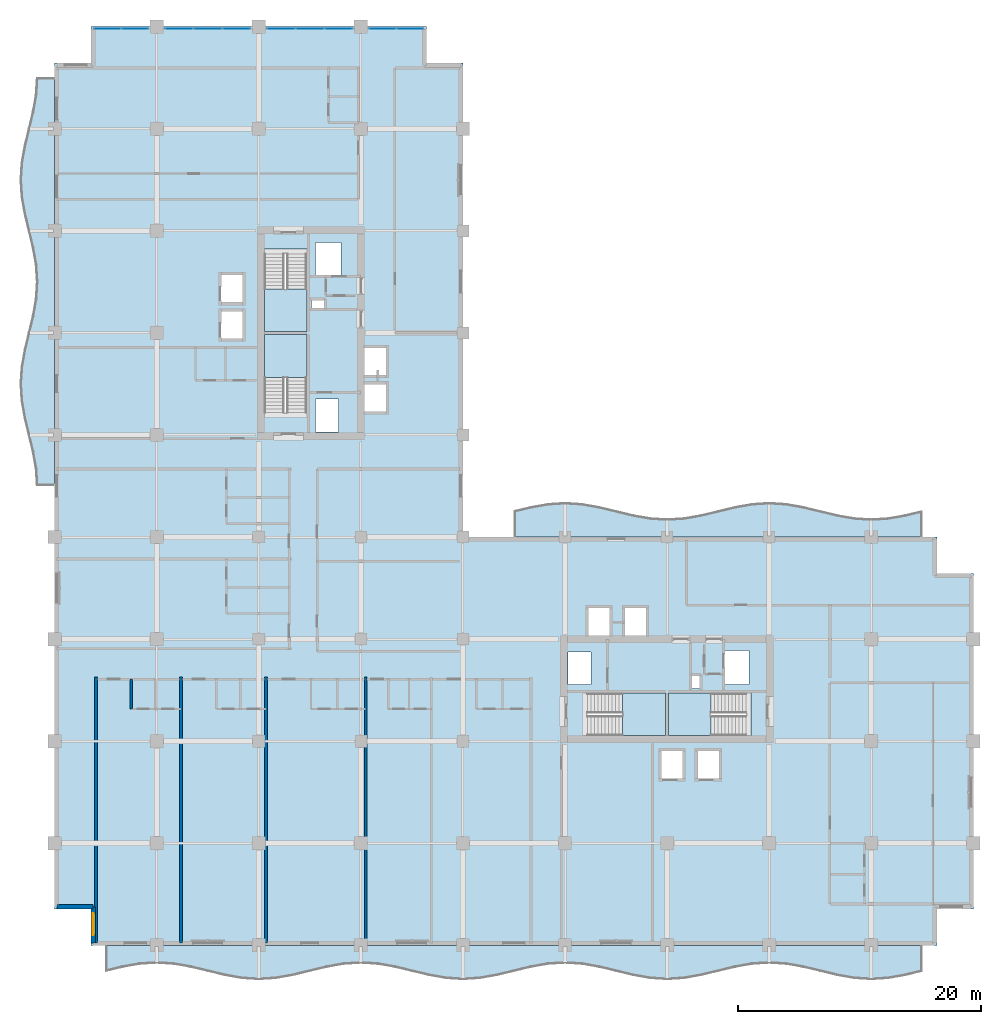
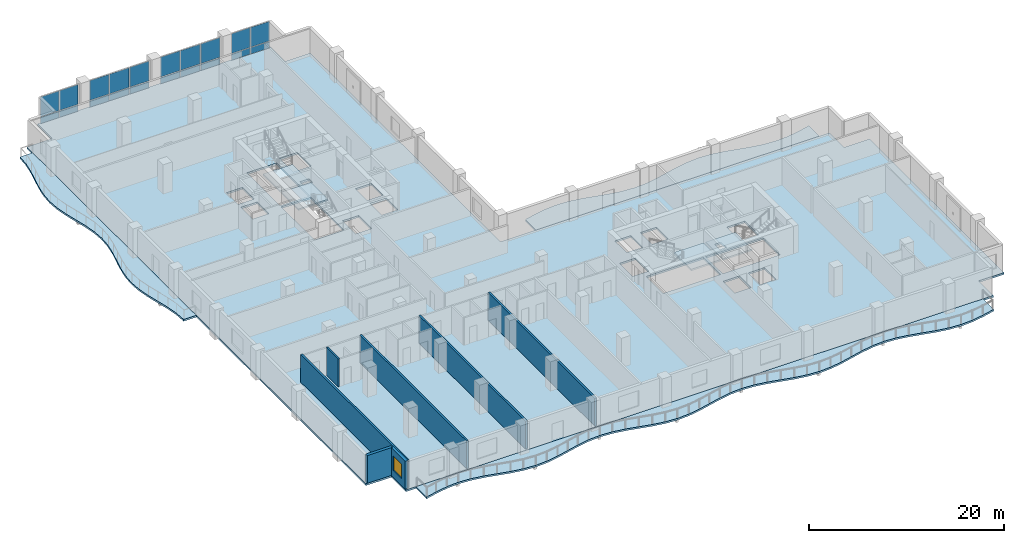
# One storey, part 6 of 19: 20 plates, 8 slabs, 7 walls, 1 window, 1 opening, 8 elements without a shape of their own.
"""IFC4 building model written with IfcOpenShell, lengths in metres."""

from ifc_helpers import new_model, si_unit, direction, frame, frame_2d, origin, origin_2d, place, context, subcontext, project, spatial, polyline, rectangle, outline, extrude, material, layer, layer_set, type_object, element, fill, aggregate, save


model = new_model("IFC4")

# Units and contexts
model_context = context("Model", 3, precision=1e-05, world=origin(), true_north=direction((0.0, 1.0)))
body_context = subcontext(model_context, "Body", "Model", "MODEL_VIEW")
ifc_project = project(units=[si_unit("LENGTHUNIT", "METRE"), si_unit("AREAUNIT", "SQUARE_METRE"), si_unit("VOLUMEUNIT", "CUBIC_METRE"), si_unit("PLANEANGLEUNIT", "RADIAN"), si_unit("MASSUNIT", "GRAM", prefix="KILO")], contexts=[model_context])

# Site, building, storey
site_placement = place(None, origin())
site = spatial("IfcSite", under=ifc_project, at=site_placement, CompositionType="ELEMENT")
building_placement = place(site_placement, origin())
building = spatial("IfcBuilding", under=site, at=building_placement, Name="Koriwani Terraces Tower", CompositionType="ELEMENT")
storey_placement = place(building_placement, frame((0.0, 0.0, 190.199951171875)))
storey = spatial("IfcBuildingStorey", under=building, at=storey_placement, Name="L46", CompositionType="ELEMENT", Elevation=190.199951171875)

# Curtain wall, plates
ifc_material_1 = material(Name="Anodised Bronze Aluminium", Category="aluminium")
ifc_layer_1 = layer(ifc_material_1, 0.169921875, Name="Anodised Bronze Aluminium")
ifc_layer_set_1 = layer_set([ifc_layer_1], Name="Anodised Bronze Aluminium")
curtain_wall_type = type_object("IfcCurtainWallType", Name="CW_RES_ZONE3", PredefinedType="NOTDEFINED", material=ifc_layer_set_1)
curtain_wall_1_placement = place(storey_placement, origin())
curtain_wall_1 = element("IfcCurtainWall", 1, at=curtain_wall_1_placement, inside=storey, type_object=curtain_wall_type, Name="L46 Unitised Curtain Wall (N_TIP) Bay 1", PredefinedType="NOTDEFINED")
ifc_material_2 = material(Name="Tempered Laminated Low-E Glass", Category="glass")
ifc_layer_2 = layer(ifc_material_2, 0.028076171875, Name="Tempered Laminated Low-E Glass")
ifc_layer_set_2 = layer_set([ifc_layer_2], Name="Tempered Laminated Low-E Glass")
plate_type = type_object("IfcPlateType", Name="CW_PANEL_VISION_28", PredefinedType="CURTAIN_PANEL", material=ifc_layer_set_2)
plate_1_placement = place(storey_placement, frame((4.347412109375, 75.425048828125, 0.06494140625), z_axis=(0.0, 0.0, 1.0), x_axis=(1.0, 0.0, 0.0)))
plate_1 = element("IfcPlate", 2, at=plate_1_placement, type_object=plate_type, Name="CW-Z3 panel 1.1", PredefinedType="CURTAIN_PANEL", context=body_context, shape_type="SweptSolid", body=[
    extrude(rectangle(XDim=2.195068359375, YDim=0.028076171875, at=origin_2d()), origin(), (0.0, 0.0, 1.0), 0.802490234375),
])
plate_2_placement = place(storey_placement, frame((4.347412109375, 75.425048828125, 0.9326171875), z_axis=(0.0, 0.0, 1.0), x_axis=(1.0, 0.0, 0.0)))
plate_2 = element("IfcPlate", 3, at=plate_2_placement, type_object=plate_type, Name="CW-Z3 panel 1.2", PredefinedType="CURTAIN_PANEL", context=body_context, shape_type="SweptSolid", body=[
    extrude(rectangle(XDim=2.195068359375, YDim=0.028076171875, at=origin_2d()), origin(), (0.0, 0.0, 1.0), 2.472412109375),
])
plate_3_placement = place(storey_placement, frame((6.617431640625, 75.425048828125, 0.06494140625), z_axis=(0.0, 0.0, 1.0), x_axis=(1.0, 0.0, 0.0)))
plate_3 = element("IfcPlate", 4, at=plate_3_placement, type_object=plate_type, Name="CW-Z3 panel 2.1", PredefinedType="CURTAIN_PANEL", context=body_context, shape_type="SweptSolid", body=[
    extrude(rectangle(XDim=2.195068359375, YDim=0.028076171875, at=origin_2d()), origin(), (0.0, 0.0, 1.0), 0.802490234375),
])
plate_4_placement = place(storey_placement, frame((6.617431640625, 75.425048828125, 0.9326171875), z_axis=(0.0, 0.0, 1.0), x_axis=(1.0, 0.0, 0.0)))
plate_4 = element("IfcPlate", 5, at=plate_4_placement, type_object=plate_type, Name="CW-Z3 panel 2.2", PredefinedType="CURTAIN_PANEL", context=body_context, shape_type="SweptSolid", body=[
    extrude(rectangle(XDim=2.195068359375, YDim=0.028076171875, at=origin_2d()), origin(), (0.0, 0.0, 1.0), 2.472412109375),
])
aggregate(curtain_wall_1, [plate_1, plate_2, plate_3, plate_4])

curtain_wall_2_placement = place(storey_placement, origin())
curtain_wall_2 = element("IfcCurtainWall", 6, at=curtain_wall_2_placement, inside=storey, type_object=curtain_wall_type, Name="L46 Unitised Curtain Wall (N_TIP) Bay 2", PredefinedType="NOTDEFINED")
plate_5_placement = place(storey_placement, frame((10.225341796875, 75.425048828125, 0.06494140625), z_axis=(0.0, 0.0, 1.0), x_axis=(1.0, 0.0, 0.0)))
plate_5 = element("IfcPlate", 7, at=plate_5_placement, type_object=plate_type, Name="CW-Z3 panel 1.1", PredefinedType="CURTAIN_PANEL", context=body_context, shape_type="SweptSolid", body=[
    extrude(rectangle(XDim=2.28076171875, YDim=0.028076171875, at=origin_2d()), origin(), (0.0, 0.0, 1.0), 0.802490234375),
])
plate_6_placement = place(storey_placement, frame((10.225341796875, 75.425048828125, 0.9326171875), z_axis=(0.0, 0.0, 1.0), x_axis=(1.0, 0.0, 0.0)))
plate_6 = element("IfcPlate", 8, at=plate_6_placement, type_object=plate_type, Name="CW-Z3 panel 1.2", PredefinedType="CURTAIN_PANEL", context=body_context, shape_type="SweptSolid", body=[
    extrude(rectangle(XDim=2.28076171875, YDim=0.028076171875, at=origin_2d()), origin(), (0.0, 0.0, 1.0), 2.472412109375),
])
plate_7_placement = place(storey_placement, frame((12.60009765625, 75.425048828125, 0.06494140625), z_axis=(0.0, 0.0, 1.0), x_axis=(1.0, 0.0, 0.0)))
plate_7 = element("IfcPlate", 9, at=plate_7_placement, type_object=plate_type, Name="CW-Z3 panel 2.1", PredefinedType="CURTAIN_PANEL", context=body_context, shape_type="SweptSolid", body=[
    extrude(rectangle(XDim=2.318359375, YDim=0.028076171875, at=origin_2d()), origin(), (0.0, 0.0, 1.0), 0.802490234375),
])
plate_8_placement = place(storey_placement, frame((12.60009765625, 75.425048828125, 0.9326171875), z_axis=(0.0, 0.0, 1.0), x_axis=(1.0, 0.0, 0.0)))
plate_8 = element("IfcPlate", 10, at=plate_8_placement, type_object=plate_type, Name="CW-Z3 panel 2.2", PredefinedType="CURTAIN_PANEL", context=body_context, shape_type="SweptSolid", body=[
    extrude(rectangle(XDim=2.318359375, YDim=0.028076171875, at=origin_2d()), origin(), (0.0, 0.0, 1.0), 2.472412109375),
])
plate_9_placement = place(storey_placement, frame((14.974609375, 75.425048828125, 0.06494140625), z_axis=(0.0, 0.0, 1.0), x_axis=(1.0, 0.0, 0.0)))
plate_9 = element("IfcPlate", 11, at=plate_9_placement, type_object=plate_type, Name="CW-Z3 panel 3.1", PredefinedType="CURTAIN_PANEL", context=body_context, shape_type="SweptSolid", body=[
    extrude(rectangle(XDim=2.28076171875, YDim=0.028076171875, at=origin_2d()), origin(), (0.0, 0.0, 1.0), 0.802490234375),
])
plate_10_placement = place(storey_placement, frame((14.974609375, 75.425048828125, 0.9326171875), z_axis=(0.0, 0.0, 1.0), x_axis=(1.0, 0.0, 0.0)))
plate_10 = element("IfcPlate", 12, at=plate_10_placement, type_object=plate_type, Name="CW-Z3 panel 3.2", PredefinedType="CURTAIN_PANEL", context=body_context, shape_type="SweptSolid", body=[
    extrude(rectangle(XDim=2.28076171875, YDim=0.028076171875, at=origin_2d()), origin(), (0.0, 0.0, 1.0), 2.472412109375),
])
aggregate(curtain_wall_2, [plate_5, plate_6, plate_7, plate_8, plate_9, plate_10])

curtain_wall_3_placement = place(storey_placement, origin())
curtain_wall_3 = element("IfcCurtainWall", 13, at=curtain_wall_3_placement, inside=storey, type_object=curtain_wall_type, Name="L46 Unitised Curtain Wall (N_TIP) Bay 3", PredefinedType="NOTDEFINED")
plate_11_placement = place(storey_placement, frame((18.62548828125, 75.425048828125, 0.06494140625), z_axis=(0.0, 0.0, 1.0), x_axis=(1.0, 0.0, 0.0)))
plate_11 = element("IfcPlate", 14, at=plate_11_placement, type_object=plate_type, Name="CW-Z3 panel 1.1", PredefinedType="CURTAIN_PANEL", context=body_context, shape_type="SweptSolid", body=[
    extrude(rectangle(XDim=2.28076171875, YDim=0.028076171875, at=origin_2d()), origin(), (0.0, 0.0, 1.0), 0.802490234375),
])
plate_12_placement = place(storey_placement, frame((18.62548828125, 75.425048828125, 0.9326171875), z_axis=(0.0, 0.0, 1.0), x_axis=(1.0, 0.0, 0.0)))
plate_12 = element("IfcPlate", 15, at=plate_12_placement, type_object=plate_type, Name="CW-Z3 panel 1.2", PredefinedType="CURTAIN_PANEL", context=body_context, shape_type="SweptSolid", body=[
    extrude(rectangle(XDim=2.28076171875, YDim=0.028076171875, at=origin_2d()), origin(), (0.0, 0.0, 1.0), 2.472412109375),
])
plate_13_placement = place(storey_placement, frame((21.0, 75.425048828125, 0.06494140625), z_axis=(0.0, 0.0, 1.0), x_axis=(1.0, 0.0, 0.0)))
plate_13 = element("IfcPlate", 16, at=plate_13_placement, type_object=plate_type, Name="CW-Z3 panel 2.1", PredefinedType="CURTAIN_PANEL", context=body_context, shape_type="SweptSolid", body=[
    extrude(rectangle(XDim=2.318359375, YDim=0.028076171875, at=origin_2d()), origin(), (0.0, 0.0, 1.0), 0.802490234375),
])
plate_14_placement = place(storey_placement, frame((21.0, 75.425048828125, 0.9326171875), z_axis=(0.0, 0.0, 1.0), x_axis=(1.0, 0.0, 0.0)))
plate_14 = element("IfcPlate", 17, at=plate_14_placement, type_object=plate_type, Name="CW-Z3 panel 2.2", PredefinedType="CURTAIN_PANEL", context=body_context, shape_type="SweptSolid", body=[
    extrude(rectangle(XDim=2.318359375, YDim=0.028076171875, at=origin_2d()), origin(), (0.0, 0.0, 1.0), 2.472412109375),
])
plate_15_placement = place(storey_placement, frame((23.37451171875, 75.425048828125, 0.06494140625), z_axis=(0.0, 0.0, 1.0), x_axis=(1.0, 0.0, 0.0)))
plate_15 = element("IfcPlate", 18, at=plate_15_placement, type_object=plate_type, Name="CW-Z3 panel 3.1", PredefinedType="CURTAIN_PANEL", context=body_context, shape_type="SweptSolid", body=[
    extrude(rectangle(XDim=2.28076171875, YDim=0.028076171875, at=origin_2d()), origin(), (0.0, 0.0, 1.0), 0.802490234375),
])
plate_16_placement = place(storey_placement, frame((23.37451171875, 75.425048828125, 0.9326171875), z_axis=(0.0, 0.0, 1.0), x_axis=(1.0, 0.0, 0.0)))
plate_16 = element("IfcPlate", 19, at=plate_16_placement, type_object=plate_type, Name="CW-Z3 panel 3.2", PredefinedType="CURTAIN_PANEL", context=body_context, shape_type="SweptSolid", body=[
    extrude(rectangle(XDim=2.28076171875, YDim=0.028076171875, at=origin_2d()), origin(), (0.0, 0.0, 1.0), 2.472412109375),
])
aggregate(curtain_wall_3, [plate_11, plate_12, plate_13, plate_14, plate_15, plate_16])

curtain_wall_4_placement = place(storey_placement, origin())
curtain_wall_4 = element("IfcCurtainWall", 20, at=curtain_wall_4_placement, inside=storey, type_object=curtain_wall_type, Name="L46 Unitised Curtain Wall (N_TIP) Bay 4", PredefinedType="NOTDEFINED")
plate_17_placement = place(storey_placement, frame((26.982421875, 75.425048828125, 0.06494140625), z_axis=(0.0, 0.0, 1.0), x_axis=(1.0, 0.0, 0.0)))
plate_17 = element("IfcPlate", 21, at=plate_17_placement, type_object=plate_type, Name="CW-Z3 panel 1.1", PredefinedType="CURTAIN_PANEL", context=body_context, shape_type="SweptSolid", body=[
    extrude(rectangle(XDim=2.195068359375, YDim=0.028076171875, at=origin_2d()), origin(), (0.0, 0.0, 1.0), 0.802490234375),
])
plate_18_placement = place(storey_placement, frame((26.982421875, 75.425048828125, 0.9326171875), z_axis=(0.0, 0.0, 1.0), x_axis=(1.0, 0.0, 0.0)))
plate_18 = element("IfcPlate", 22, at=plate_18_placement, type_object=plate_type, Name="CW-Z3 panel 1.2", PredefinedType="CURTAIN_PANEL", context=body_context, shape_type="SweptSolid", body=[
    extrude(rectangle(XDim=2.195068359375, YDim=0.028076171875, at=origin_2d()), origin(), (0.0, 0.0, 1.0), 2.472412109375),
])
plate_19_placement = place(storey_placement, frame((29.25244140625, 75.425048828125, 0.06494140625), z_axis=(0.0, 0.0, 1.0), x_axis=(1.0, 0.0, 0.0)))
plate_19 = element("IfcPlate", 23, at=plate_19_placement, type_object=plate_type, Name="CW-Z3 panel 2.1", PredefinedType="CURTAIN_PANEL", context=body_context, shape_type="SweptSolid", body=[
    extrude(rectangle(XDim=2.195068359375, YDim=0.028076171875, at=origin_2d()), origin(), (0.0, 0.0, 1.0), 0.802490234375),
])
plate_20_placement = place(storey_placement, frame((29.25244140625, 75.425048828125, 0.9326171875), z_axis=(0.0, 0.0, 1.0), x_axis=(1.0, 0.0, 0.0)))
plate_20 = element("IfcPlate", 24, at=plate_20_placement, type_object=plate_type, Name="CW-Z3 panel 2.2", PredefinedType="CURTAIN_PANEL", context=body_context, shape_type="SweptSolid", body=[
    extrude(rectangle(XDim=2.195068359375, YDim=0.028076171875, at=origin_2d()), origin(), (0.0, 0.0, 1.0), 2.472412109375),
])
aggregate(curtain_wall_4, [plate_17, plate_18, plate_19, plate_20])

# Slabs
ifc_material_3 = material(Name="Concrete C40/50", Category="concrete")
ifc_layer_3 = layer(ifc_material_3, 0.219970703125, Name="Concrete C40/50")
ifc_layer_set_3 = layer_set([ifc_layer_3], Name="Concrete C40/50")
slab_type_1 = type_object("IfcSlabType", Name="SLAB_BALCONY_220", PredefinedType="FLOOR", material=ifc_layer_set_3)
slab_1_placement = place(storey_placement, frame((0.0, 0.0, -0.219970703125)))
element("IfcSlab", 25, at=slab_1_placement, inside=storey, type_object=slab_type_1, Name="L46 Quilted Circular-Arc Balcony (S)", PredefinedType="FLOOR", context=body_context, shape_type="SweptSolid", body=[
    extrude(outline(polyline([(4.199951171875, 0.0), (5.60009765625, 0.0), (7.0, 0.0), (8.39990234375, 0.0), (9.800048828125, 0.0), (11.199951171875, 0.0), (12.60009765625, 0.0), (14.0, 0.0), (15.39990234375, 0.0), (16.800048828125, 0.0), (18.199951171875, 0.0), (19.60009765625, 0.0), (21.0, 0.0), (22.39990234375, 0.0), (23.800048828125, 0.0), (25.199951171875, 0.0), (26.60009765625, 0.0), (28.0, 0.0), (29.39990234375, 0.0), (30.800048828125, 0.0), (32.199951171875, 0.0), (33.60009765625, 0.0), (35.0, 0.0), (36.39990234375, 0.0), (37.800048828125, 0.0), (39.199951171875, 0.0), (40.60009765625, 0.0), (42.0, 0.0), (43.39990234375, 0.0), (44.800048828125, 0.0), (46.199951171875, 0.0), (47.60009765625, 0.0), (49.0, 0.0), (50.39990234375, 0.0), (51.800048828125, 0.0), (53.199951171875, 0.0), (54.60009765625, 0.0), (56.0, 0.0), (57.39990234375, 0.0), (58.800048828125, 0.0), (60.199951171875, 0.0), (61.60009765625, 0.0), (63.0, 0.0), (64.39990234375, 0.0), (65.800048828125, 0.0), (67.199951171875, 0.0), (68.60009765625, 0.0), (70.0, 0.0), (71.39990234375, 0.0), (71.39990234375, -2.175048828125), (70.0, -2.512451171875), (68.60009765625, -2.759521484375), (67.199951171875, -2.85009765625), (65.800048828125, -2.759521484375), (64.39990234375, -2.512451171875), (63.0, -2.175048828125), (61.60009765625, -1.83740234375), (60.199951171875, -1.59033203125), (58.800048828125, -1.5), (57.39990234375, -1.59033203125), (56.0, -1.83740234375), (54.60009765625, -2.175048828125), (53.199951171875, -2.512451171875), (51.800048828125, -2.759521484375), (50.39990234375, -2.85009765625), (49.0, -2.759521484375), (47.60009765625, -2.512451171875), (46.199951171875, -2.175048828125), (44.800048828125, -1.83740234375), (43.39990234375, -1.59033203125), (42.0, -1.5), (40.60009765625, -1.59033203125), (39.199951171875, -1.83740234375), (37.800048828125, -2.175048828125), (36.39990234375, -2.512451171875), (35.0, -2.759521484375), (33.60009765625, -2.85009765625), (32.199951171875, -2.759521484375), (30.800048828125, -2.512451171875), (29.39990234375, -2.175048828125), (28.0, -1.83740234375), (26.60009765625, -1.59033203125), (25.199951171875, -1.5), (23.800048828125, -1.59033203125), (22.39990234375, -1.83740234375), (21.0, -2.175048828125), (19.60009765625, -2.512451171875), (18.199951171875, -2.759521484375), (16.800048828125, -2.85009765625), (15.39990234375, -2.759521484375), (14.0, -2.512451171875), (12.60009765625, -2.175048828125), (11.199951171875, -1.83740234375), (9.800048828125, -1.59033203125), (8.39990234375, -1.5), (7.0, -1.59033203125), (5.60009765625, -1.83740234375), (4.199951171875, -2.175048828125), (4.199951171875, 0.0)])), origin(), (0.0, 0.0, 1.0), 0.219970703125),
])
slab_2_placement = place(storey_placement, frame((0.0, 0.0, -0.219970703125)))
element("IfcSlab", 26, at=slab_2_placement, inside=storey, type_object=slab_type_1, Name="L46 Quilted Circular-Arc Balcony (W)", PredefinedType="FLOOR", context=body_context, shape_type="SweptSolid", body=[
    extrude(outline(polyline([(0.0, 37.800048828125), (0.0, 39.199951171875), (0.0, 40.60009765625), (0.0, 42.0), (0.0, 43.39990234375), (0.0, 44.800048828125), (0.0, 46.199951171875), (0.0, 47.60009765625), (0.0, 49.0), (0.0, 50.39990234375), (0.0, 51.800048828125), (0.0, 53.199951171875), (0.0, 54.60009765625), (0.0, 56.0), (0.0, 57.39990234375), (0.0, 58.800048828125), (0.0, 60.199951171875), (0.0, 61.60009765625), (0.0, 63.0), (0.0, 64.39990234375), (0.0, 65.800048828125), (0.0, 67.199951171875), (0.0, 68.60009765625), (0.0, 70.0), (0.0, 71.39990234375), (-1.5, 71.39990234375), (-1.59033203125, 70.0), (-1.83740234375, 68.60009765625), (-2.175048828125, 67.199951171875), (-2.512451171875, 65.800048828125), (-2.759521484375, 64.39990234375), (-2.85009765625, 63.0), (-2.759521484375, 61.60009765625), (-2.512451171875, 60.199951171875), (-2.175048828125, 58.800048828125), (-1.83740234375, 57.39990234375), (-1.59033203125, 56.0), (-1.5, 54.60009765625), (-1.59033203125, 53.199951171875), (-1.83740234375, 51.800048828125), (-2.175048828125, 50.39990234375), (-2.512451171875, 49.0), (-2.759521484375, 47.60009765625), (-2.85009765625, 46.199951171875), (-2.759521484375, 44.800048828125), (-2.512451171875, 43.39990234375), (-2.175048828125, 42.0), (-1.83740234375, 40.60009765625), (-1.59033203125, 39.199951171875), (-1.5, 37.800048828125), (0.0, 37.800048828125)])), origin(), (0.0, 0.0, 1.0), 0.219970703125),
])
slab_3_placement = place(storey_placement, frame((0.0, 0.0, -0.219970703125)))
element("IfcSlab", 27, at=slab_3_placement, inside=storey, type_object=slab_type_1, Name="L46 Quilted Circular-Arc Balcony (NE)", PredefinedType="FLOOR", context=body_context, shape_type="SweptSolid", body=[
    extrude(outline(polyline([(71.39990234375, 33.60009765625), (70.0, 33.60009765625), (68.60009765625, 33.60009765625), (67.199951171875, 33.60009765625), (65.800048828125, 33.60009765625), (64.39990234375, 33.60009765625), (63.0, 33.60009765625), (61.60009765625, 33.60009765625), (60.199951171875, 33.60009765625), (58.800048828125, 33.60009765625), (57.39990234375, 33.60009765625), (56.0, 33.60009765625), (54.60009765625, 33.60009765625), (53.199951171875, 33.60009765625), (51.800048828125, 33.60009765625), (50.39990234375, 33.60009765625), (49.0, 33.60009765625), (47.60009765625, 33.60009765625), (46.199951171875, 33.60009765625), (44.800048828125, 33.60009765625), (43.39990234375, 33.60009765625), (42.0, 33.60009765625), (40.60009765625, 33.60009765625), (39.199951171875, 33.60009765625), (37.800048828125, 33.60009765625), (37.800048828125, 35.77490234375), (39.199951171875, 36.112548828125), (40.60009765625, 36.359619140625), (42.0, 36.449951171875), (43.39990234375, 36.359619140625), (44.800048828125, 36.112548828125), (46.199951171875, 35.77490234375), (47.60009765625, 35.4375), (49.0, 35.1904296875), (50.39990234375, 35.10009765625), (51.800048828125, 35.1904296875), (53.199951171875, 35.4375), (54.60009765625, 35.77490234375), (56.0, 36.112548828125), (57.39990234375, 36.359619140625), (58.800048828125, 36.449951171875), (60.199951171875, 36.359619140625), (61.60009765625, 36.112548828125), (63.0, 35.77490234375), (64.39990234375, 35.4375), (65.800048828125, 35.1904296875), (67.199951171875, 35.10009765625), (68.60009765625, 35.1904296875), (70.0, 35.4375), (71.39990234375, 35.77490234375), (71.39990234375, 33.60009765625)])), origin(), (0.0, 0.0, 1.0), 0.219970703125),
])
ifc_layer_4 = layer(ifc_material_3, 0.22998046875, Name="Concrete C40/50")
ifc_layer_set_4 = layer_set([ifc_layer_4], Name="Concrete C40/50")
slab_type_2 = type_object("IfcSlabType", Name="SLAB_RES_TYP_230", PredefinedType="FLOOR", material=ifc_layer_set_4)
slab_4_placement = place(storey_placement, frame((0.0, 0.0, -0.22998046875)))
element("IfcSlab", 28, at=slab_4_placement, inside=storey, type_object=slab_type_2, Name="L46 Structural Floor Slab", PredefinedType="FLOOR", context=body_context, shape_type="SweptSolid", body=[
    extrude(outline(polyline([(3.0, 0.0), (72.60009765625, 0.0), (72.60009765625, 3.0), (75.60009765625, 3.0), (75.60009765625, 30.60009765625), (72.60009765625, 30.60009765625), (72.60009765625, 33.60009765625), (33.60009765625, 33.60009765625), (33.60009765625, 72.60009765625), (30.60009765625, 72.60009765625), (30.60009765625, 75.60009765625), (3.0, 75.60009765625), (3.0, 72.60009765625), (0.0, 72.60009765625), (0.0, 3.0), (3.0, 3.0), (3.0, 0.0)]), holes=[polyline([(17.25, 43.4599609375), (20.75, 43.4599609375), (20.75, 50.25), (17.25, 50.25), (17.25, 43.4599609375)]), polyline([(17.25, 50.5), (20.75, 50.5), (20.75, 57.2900390625), (17.25, 57.2900390625), (17.25, 50.5)]), polyline([(43.4599609375, 17.25), (50.25, 17.25), (50.25, 20.75), (43.4599609375, 20.75), (43.4599609375, 17.25)]), polyline([(50.5, 17.25), (57.2900390625, 17.25), (57.2900390625, 20.75), (50.5, 20.75), (50.5, 17.25)]), polyline([(13.64990234375, 49.85009765625), (15.550048828125, 49.85009765625), (15.550048828125, 52.25), (13.64990234375, 52.25), (13.64990234375, 49.85009765625)]), polyline([(13.64990234375, 52.85009765625), (15.550048828125, 52.85009765625), (15.550048828125, 55.25), (13.64990234375, 55.25), (13.64990234375, 52.85009765625)]), polyline([(49.85009765625, 13.64990234375), (51.75, 13.64990234375), (51.75, 16.050048828125), (49.85009765625, 16.050048828125), (49.85009765625, 13.64990234375)]), polyline([(52.85009765625, 13.64990234375), (54.75, 13.64990234375), (54.75, 16.050048828125), (52.85009765625, 16.050048828125), (52.85009765625, 13.64990234375)]), polyline([(25.449951171875, 43.85009765625), (27.35009765625, 43.85009765625), (27.35009765625, 46.25), (25.449951171875, 46.25), (25.449951171875, 43.85009765625)]), polyline([(25.449951171875, 46.85009765625), (27.35009765625, 46.85009765625), (27.35009765625, 49.25), (25.449951171875, 49.25), (25.449951171875, 46.85009765625)]), polyline([(43.85009765625, 25.449951171875), (45.75, 25.449951171875), (45.75, 27.85009765625), (43.85009765625, 27.85009765625), (43.85009765625, 25.449951171875)]), polyline([(46.85009765625, 25.449951171875), (48.75, 25.449951171875), (48.75, 27.85009765625), (46.85009765625, 27.85009765625), (46.85009765625, 25.449951171875)]), polyline([(21.449951171875, 55.050048828125), (23.550048828125, 55.050048828125), (23.550048828125, 57.85009765625), (21.449951171875, 57.85009765625), (21.449951171875, 55.050048828125)]), polyline([(55.050048828125, 21.449951171875), (57.14990234375, 21.449951171875), (57.14990234375, 24.25), (55.050048828125, 24.25), (55.050048828125, 21.449951171875)]), polyline([(21.449951171875, 42.25), (23.35009765625, 42.25), (23.35009765625, 44.949951171875), (21.449951171875, 44.949951171875), (21.449951171875, 42.25)]), polyline([(42.25, 21.449951171875), (44.14990234375, 21.449951171875), (44.14990234375, 24.14990234375), (42.25, 24.14990234375), (42.25, 21.449951171875)]), polyline([(21.14990234375, 52.419921875), (22.219970703125, 52.419921875), (22.219970703125, 53.179931640625), (21.14990234375, 53.179931640625), (21.14990234375, 52.419921875)]), polyline([(52.419921875, 21.14990234375), (53.179931640625, 21.14990234375), (53.179931640625, 22.219970703125), (52.419921875, 22.219970703125), (52.419921875, 21.14990234375)])]), origin(), (0.0, 0.0, 1.0), 0.22998046875),
])

# Stair, slab
stair_type = type_object("IfcStairType", Name="STAIR_CORE_DOGLEG_1650", PredefinedType="TWO_STRAIGHT_RUN_STAIR", material=ifc_material_3)
stair_1_placement = place(storey_placement, origin())
stair_1 = element("IfcStair", 29, at=stair_1_placement, inside=storey, type_object=stair_type, Name="L46 West Core Exit Stair 1", PredefinedType="HALF_TURN_STAIR")
ifc_layer_5 = layer(ifc_material_3, 0.199951171875, Name="Concrete C40/50")
ifc_layer_set_5 = layer_set([ifc_layer_5], Name="Concrete C40/50")
slab_type_3 = type_object("IfcSlabType", Name="SLAB_STAIR_LANDING_200", PredefinedType="LANDING", material=ifc_layer_set_5)
slab_5_placement = place(storey_placement, frame((0.0, 0.0, 1.650146484375)))
slab_5 = element("IfcSlab", 30, at=slab_5_placement, type_object=slab_type_3, Name="ST-W1 landing 1", PredefinedType="LANDING", context=body_context, shape_type="SweptSolid", body=[
    extrude(outline(polyline([(20.75, 46.75), (20.75, 50.25), (17.25, 50.25), (17.25, 46.75), (20.75, 46.75)])), origin(), (0.0, 0.0, 1.0), 0.199951171875),
])
aggregate(stair_1, [slab_5])

stair_2_placement = place(storey_placement, origin())
stair_2 = element("IfcStair", 31, at=stair_2_placement, inside=storey, type_object=stair_type, Name="L46 West Core Exit Stair 2", PredefinedType="HALF_TURN_STAIR")
slab_6_placement = place(storey_placement, frame((0.0, 0.0, 1.650146484375)))
slab_6 = element("IfcSlab", 32, at=slab_6_placement, type_object=slab_type_3, Name="ST-W2 landing 1", PredefinedType="LANDING", context=body_context, shape_type="SweptSolid", body=[
    extrude(outline(polyline([(17.25, 54.0), (17.25, 50.5), (20.75, 50.5), (20.75, 54.0), (17.25, 54.0)])), origin(), (0.0, 0.0, 1.0), 0.199951171875),
])
aggregate(stair_2, [slab_6])

stair_3_placement = place(storey_placement, origin())
stair_3 = element("IfcStair", 33, at=stair_3_placement, inside=storey, type_object=stair_type, Name="L46 East Core Exit Stair 1", PredefinedType="HALF_TURN_STAIR")
slab_7_placement = place(storey_placement, frame((0.0, 0.0, 1.650146484375)))
slab_7 = element("IfcSlab", 34, at=slab_7_placement, type_object=slab_type_3, Name="ST-E1 landing 1", PredefinedType="LANDING", context=body_context, shape_type="SweptSolid", body=[
    extrude(outline(polyline([(46.75, 17.25), (50.25, 17.25), (50.25, 20.75), (46.75, 20.75), (46.75, 17.25)])), origin(), (0.0, 0.0, 1.0), 0.199951171875),
])
aggregate(stair_3, [slab_7])

stair_4_placement = place(storey_placement, origin())
stair_4 = element("IfcStair", 35, at=stair_4_placement, inside=storey, type_object=stair_type, Name="L46 East Core Exit Stair 2", PredefinedType="HALF_TURN_STAIR")
slab_8_placement = place(storey_placement, frame((0.0, 0.0, 1.650146484375)))
slab_8 = element("IfcSlab", 36, at=slab_8_placement, type_object=slab_type_3, Name="ST-E2 landing 1", PredefinedType="LANDING", context=body_context, shape_type="SweptSolid", body=[
    extrude(outline(polyline([(54.0, 20.75), (50.5, 20.75), (50.5, 17.25), (54.0, 17.25), (54.0, 20.75)])), origin(), (0.0, 0.0, 1.0), 0.199951171875),
])
aggregate(stair_4, [slab_8])

# Walls
ifc_material_4 = material(Name="Autoclaved Cellular Concrete Blockwork", Category="masonry")
ifc_layer_6 = layer(ifc_material_4, 0.219970703125, Name="Autoclaved Cellular Concrete Blockwork")
ifc_layer_set_6 = layer_set([ifc_layer_6], Name="Autoclaved Cellular Concrete Blockwork")
wall_type_1 = type_object("IfcWallType", Name="WALL_DEMISING_220", PredefinedType="PARTITIONING", material=ifc_layer_set_6)
for number, where, z_axis, x_axis, name in (
    (37, (3.39990234375, 0.199951171875, 0.0), (0.0, 0.0, 1.0), (0.0, 1.0, 0.0), "L46 Interior Wall WRDEM-L46-SW-0"),
    (38, (10.39990234375, 0.199951171875, 0.0), (0.0, 0.0, 1.0), (0.0, 1.0, 0.0), "L46 Interior Wall WRDEM-L46-SW-1"),
    (39, (17.39990234375, 0.199951171875, 0.0), (0.0, 0.0, 1.0), (0.0, 1.0, 0.0), "L46 Interior Wall WRDEM-L46-SW-2"),
    (40, (25.60009765625, 0.199951171875, 0.0), (0.0, 0.0, 1.0), (0.0, 1.0, 0.0), "L46 Interior Wall WRDEM-L46-SW-3"),
):
    element("IfcWall", number, at=place(storey_placement, frame(where, z_axis=z_axis, x_axis=x_axis)), inside=storey, type_object=wall_type_1, Name=name, PredefinedType="PARTITIONING", context=body_context, shape_type="SweptSolid", body=[
        extrude(rectangle(XDim=21.880126953125, YDim=0.219970703125, at=frame_2d((10.93994140625, 0.0))), origin(), (0.0, 0.0, 1.0), 3.469970703125),
    ])

# Wall, opening, window
ifc_material_5 = material(Name="Concrete C50/60", Category="concrete")
ifc_layer_7 = layer(ifc_material_5, 0.35009765625, Name="Concrete C50/60")
ifc_layer_set_7 = layer_set([ifc_layer_7], Name="Concrete C50/60")
wall_type_2 = type_object("IfcWallType", Name="WALL_EXT_BRUTALIST_350", PredefinedType="STANDARD", material=ifc_layer_set_7)
wall_1_placement = place(storey_placement, frame((3.175048828125, 0.175048828125, 0.0), z_axis=(0.0, 0.0, 1.0), x_axis=(0.0, 1.0, 0.0)))
wall_1 = element("IfcWall", 41, at=wall_1_placement, inside=storey, type_object=wall_type_2, Name="L46 Fair-Faced Brutalist Exterior Wall (N0)", PredefinedType="STANDARD", context=body_context, shape_type="SweptSolid", body=[
    extrude(rectangle(XDim=3.0, YDim=0.35009765625, at=frame_2d((1.5, 0.0))), origin(), (0.0, 0.0, 1.0), 3.469970703125),
])
opening_placement = place(wall_1_placement, frame((0.677490234375, 0.0, 0.85009765625)))
opening = element("IfcOpeningElement", 42, at=opening_placement, cuts=wall_1, Name="Opening W-04", PredefinedType="OPENING", context=body_context, shape_type="SweptSolid", body=[
    extrude(rectangle(XDim=1.800048828125, YDim=1.800048828125, at=frame_2d((0.89990234375, 0.89990234375))), frame((0.0, 0.18505859375, 0.0), z_axis=(0.0, -1.0, 0.0), x_axis=(1.0, 0.0, 0.0)), (0.0, 0.0, 1.0), 0.3701171875),
])
window_type = type_object("IfcWindowType", Name="WIN_RES_BED_1800X1800", PartitioningType="DOUBLE_PANEL_VERTICAL", PredefinedType="WINDOW", material=ifc_material_2)
window_placement = place(opening_placement, origin())
window = element("IfcWindow", 43, at=window_placement, inside=storey, type_object=window_type, Name="L46 Exterior Window (N0-R35)", OverallHeight=1.800048828125, OverallWidth=1.800048828125, PartitioningType="SINGLE_PANEL", PredefinedType="WINDOW", context=body_context, shape_type="SweptSolid", body=[
    extrude(rectangle(XDim=1.800048828125, YDim=1.800048828125, at=frame_2d((0.89990234375, 0.89990234375))), frame((0.0, 0.030029296875, 0.0), z_axis=(0.0, -1.0, 0.0), x_axis=(1.0, 0.0, 0.0)), (0.0, 0.0, 1.0), 0.06005859375),
])
fill(opening, window)

# Walls
wall_2_placement = place(storey_placement, frame((3.175048828125, 3.175048828125, 0.0), z_axis=(0.0, 0.0, 1.0), x_axis=(-1.0, 0.0, 0.0)))
element("IfcWall", 44, at=wall_2_placement, inside=storey, type_object=wall_type_2, Name="L46 Fair-Faced Brutalist Exterior Wall (N1)", PredefinedType="STANDARD", context=body_context, shape_type="SweptSolid", body=[
    extrude(rectangle(XDim=3.0, YDim=0.35009765625, at=frame_2d((1.5, 0.0))), origin(), (0.0, 0.0, 1.0), 3.469970703125),
])
ifc_material_6 = material(Name="Fire-Rated Acoustic Gypsum Partition", Category="masonry")
ifc_layer_8 = layer(ifc_material_6, 0.179931640625, Name="Fire-Rated Acoustic Gypsum Partition")
ifc_layer_set_8 = layer_set([ifc_layer_8], Name="Fire-Rated Acoustic Gypsum Partition")
wall_type_3 = type_object("IfcWallType", Name="WALL_PLUMBING_180", PredefinedType="PLUMBINGWALL", material=ifc_layer_set_8)
wall_3_placement = place(storey_placement, frame((6.300048828125, 19.449951171875, 0.0), z_axis=(0.0, 0.0, 1.0), x_axis=(0.0, 1.0, 0.0)))
element("IfcWall", 45, at=wall_3_placement, inside=storey, type_object=wall_type_3, Name="L46 Interior Wall WRSVCS-L46-SW-0", PredefinedType="PLUMBINGWALL", context=body_context, shape_type="SweptSolid", body=[
    extrude(rectangle(XDim=2.449951171875, YDim=0.179931640625, at=frame_2d((1.22509765625, 0.0))), origin(), (0.0, 0.0, 1.0), 3.469970703125),
])

save(model, "model.ifc")
